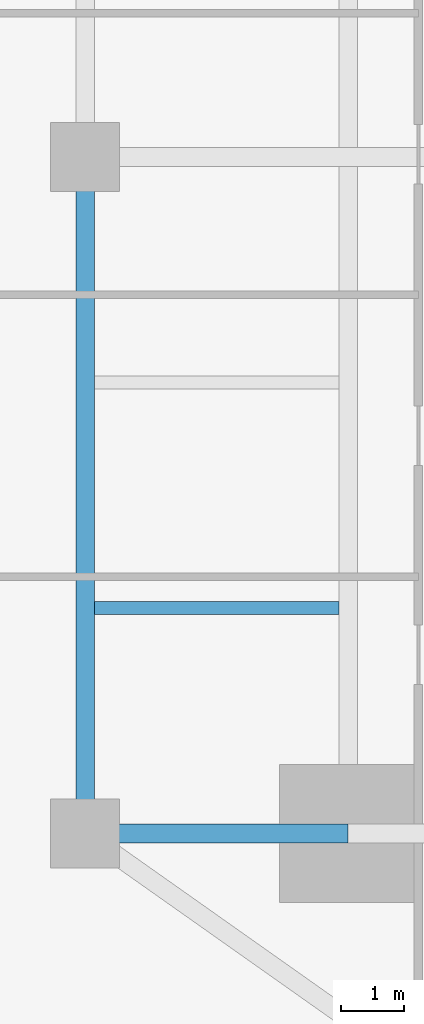
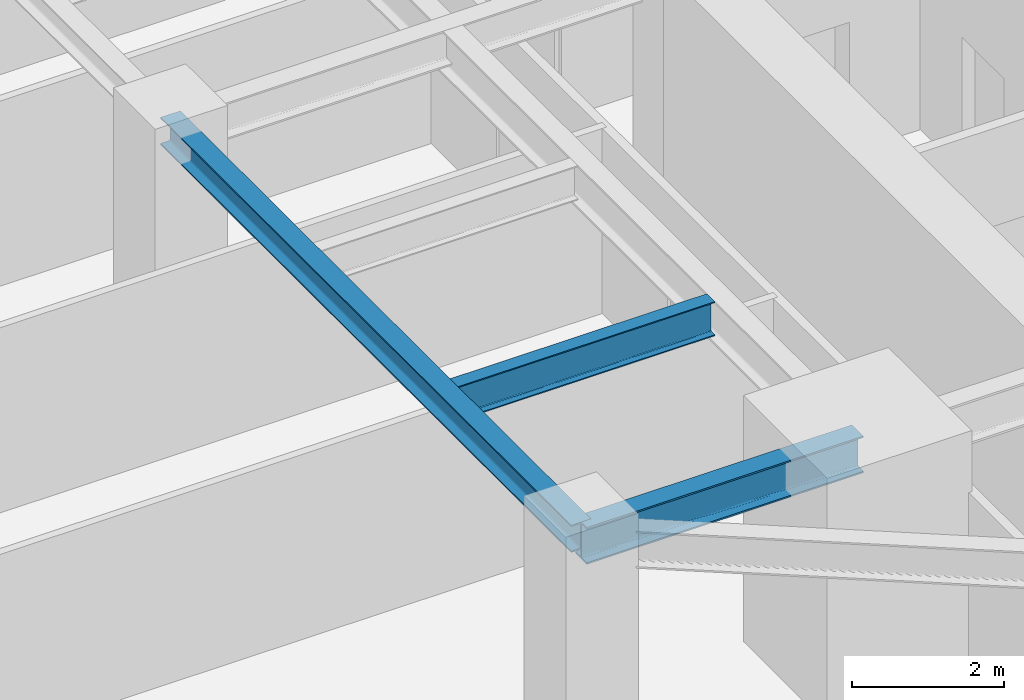
# One storey, part 7 of 29: 3 beams.
"""IFC4 building model written with IfcOpenShell, lengths in metres."""

import ifcopenshell
import ifcopenshell.guid

model = None  # the IFC model being written
_history = None  # IfcOwnerHistory: only IFC2X3 demands one
_inside = {}  # id of a spatial element -> (the spatial element, [elements in it])
_under = {}  # id of a project, library or spatial element -> (it, [spatial elements below it])
_declared = {}  # id of a project -> (the project, [libraries it declares])
_typed = {}  # id of a type object -> (the type object, [elements of that type])
_made_of = {}  # id of a material, layer set ... -> (it, [elements and type objects made of it])


def new_model(schema):
    """Start an empty IFC model of exactly this schema.

    Asked for "IFC4X3", IfcOpenShell would pick the latest addendum, in which some entities
    have other attributes; the version numbers below select the first issue.
    IFC2X3 requires an IfcOwnerHistory on every rooted entity: one is made here for all.
    """
    global model, _history
    if schema == "IFC4X3":
        model = ifcopenshell.file(schema_version=(4, 3, 0, 0))
    else:
        model = ifcopenshell.file(schema=schema)
    _inside.clear()
    _under.clear()
    _declared.clear()
    _typed.clear()
    _made_of.clear()
    _history = None
    if model.schema == "IFC2X3":
        org = make("IfcOrganization", Name="unknown")
        user = make(
            "IfcPersonAndOrganization",
            ThePerson=make("IfcPerson", FamilyName="unknown"),
            TheOrganization=org,
        )
        app = make(
            "IfcApplication",
            ApplicationDeveloper=org,
            Version="unknown",
            ApplicationFullName="unknown",
            ApplicationIdentifier="unknown",
        )
        _history = make(
            "IfcOwnerHistory",
            OwningUser=user,
            OwningApplication=app,
            ChangeAction="ADDED",
            CreationDate=0,
        )
    return model


def make(cls, **values):
    """One entity of the class cls with the attributes given. An attribute that is None is left unset."""
    return model.create_entity(
        cls, **{name: value for name, value in values.items() if value is not None}
    )


def rooted(cls, **values):
    """An entity with a GlobalId (a new one), such as an element, a storey or a relation."""
    return make(cls, GlobalId=ifcopenshell.guid.new(), OwnerHistory=_history, **values)


def si_unit(unit_type, name, prefix=None):
    """IfcSIUnit, for example si_unit("LENGTHUNIT", "METRE", prefix="MILLI")."""
    return make("IfcSIUnit", UnitType=unit_type, Prefix=prefix, Name=name)


def assignment(units):
    """IfcUnitAssignment: the units of a project."""
    return None if units is None else make("IfcUnitAssignment", Units=units)


def point(xyz):
    """IfcCartesianPoint."""
    return None if xyz is None else make("IfcCartesianPoint", Coordinates=xyz)


def direction(xyz):
    """IfcDirection."""
    return None if xyz is None else make("IfcDirection", DirectionRatios=xyz)


def frame(location, z_axis=None, x_axis=None):
    """IfcAxis2Placement3D, a coordinate frame: its origin and axes. An axis left out is left unset."""
    return make(
        "IfcAxis2Placement3D",
        Location=point(location),
        Axis=direction(z_axis),
        RefDirection=direction(x_axis),
    )


def frame_2d(location, x_axis=None):
    """IfcAxis2Placement2D, a coordinate frame in the plane: its origin and x axis."""
    return make(
        "IfcAxis2Placement2D", Location=point(location), RefDirection=direction(x_axis)
    )


def origin():
    """The frame at (0, 0, 0) with its axes left unset."""
    return frame((0.0, 0.0, 0.0))


def origin_2d():
    """The frame at (0, 0) in the plane with its x axis left unset."""
    return frame_2d((0.0, 0.0))


def place(relative_to, where):
    """IfcLocalPlacement: puts the frame where relative to a parent placement (None: the world)."""
    return make(
        "IfcLocalPlacement", PlacementRelTo=relative_to, RelativePlacement=where
    )


def context(
    kind, dimensions, precision=None, world=None, true_north=None, identifier=None
):
    """IfcGeometricRepresentationContext, for example the 3D "Model" context."""
    return make(
        "IfcGeometricRepresentationContext",
        ContextIdentifier=identifier,
        ContextType=kind,
        CoordinateSpaceDimension=dimensions,
        Precision=precision,
        WorldCoordinateSystem=world,
        TrueNorth=true_north,
    )


def subcontext(parent, identifier, kind, view, scale=None):
    """IfcGeometricRepresentationSubContext, for example "Body" below "Model"."""
    return make(
        "IfcGeometricRepresentationSubContext",
        ContextIdentifier=identifier,
        ContextType=kind,
        ParentContext=parent,
        TargetScale=scale,
        TargetView=view,
    )


def project(units=None, contexts=None):
    """IfcProject with its units and contexts."""
    return rooted(
        "IfcProject",
        Name="project",
        RepresentationContexts=contexts,
        UnitsInContext=assignment(units),
    )


def spatial(cls, under=None, at=None, **own):
    """A site, building, storey or space (cls), placed at a placement, below another one or the project."""
    s = rooted(cls, ObjectPlacement=at, **own)
    if under is not None:
        _under.setdefault(under.id(), (under, []))[1].append(s)
    return s


def profile(cls, at=None, kind="AREA", **sizes):
    """A parametric profile (cls). Its sizes go by their IFC names, for example OverallWidth=200.0."""
    return make(cls, ProfileType=kind, Position=at, **sizes)


def i_section(**sizes):
    """IfcIShapeProfileDef."""
    return profile("IfcIShapeProfileDef", **sizes)


def extrude(swept, where, along, depth):
    """IfcExtrudedAreaSolid: the profile swept, set in the frame where, extruded along a direction by depth."""
    return make(
        "IfcExtrudedAreaSolid",
        SweptArea=swept,
        Position=where,
        ExtrudedDirection=direction(along),
        Depth=depth,
    )


def shape(context_of_items, identifier, shape_type, items):
    """IfcShapeRepresentation: the items that make up one representation, for example the "Body"."""
    return make(
        "IfcShapeRepresentation",
        ContextOfItems=context_of_items,
        RepresentationIdentifier=identifier,
        RepresentationType=shape_type,
        Items=items,
    )


def source(mapping_origin, context_of_items, identifier, shape_type, items):
    """IfcRepresentationMap: a shape defined once, which mapped items show again and again."""
    return make(
        "IfcRepresentationMap",
        MappingOrigin=mapping_origin,
        MappedRepresentation=shape(context_of_items, identifier, shape_type, items),
    )


def transform(
    local_origin,
    x_axis=None,
    y_axis=None,
    z_axis=None,
    scale=None,
    scale2=None,
    scale3=None,
    uniform=True,
):
    """IfcCartesianTransformationOperator3D, or its non-uniform kind. x_axis, y_axis, z_axis: its Axis1, 2, 3."""
    if uniform:
        return make(
            "IfcCartesianTransformationOperator3D",
            Axis1=direction(x_axis),
            Axis2=direction(y_axis),
            LocalOrigin=point(local_origin),
            Scale=scale,
            Axis3=direction(z_axis),
        )
    return make(
        "IfcCartesianTransformationOperator3DnonUniform",
        Axis1=direction(x_axis),
        Axis2=direction(y_axis),
        LocalOrigin=point(local_origin),
        Scale=scale,
        Axis3=direction(z_axis),
        Scale2=scale2,
        Scale3=scale3,
    )


def mapped(mapping_source, mapping_target):
    """IfcMappedItem: shows the shape of a source again, moved by a transform."""
    return make(
        "IfcMappedItem", MappingSource=mapping_source, MappingTarget=mapping_target
    )


def material(Name=None, Category=None):
    """IfcMaterial."""
    return make("IfcMaterial", Name=Name, Category=Category)


def material_profile(
    of_material, cross_section, Name=None, Category=None, Priority=None
):
    """IfcMaterialProfile: a cross section and its material."""
    return make(
        "IfcMaterialProfile",
        Name=Name,
        Material=of_material,
        Profile=cross_section,
        Priority=Priority,
        Category=Category,
    )


def profile_set(profiles, Name=None, composite=None):
    """IfcMaterialProfileSet."""
    return make(
        "IfcMaterialProfileSet",
        Name=Name,
        MaterialProfiles=profiles,
        CompositeProfile=composite,
    )


def made_of(thing, what):
    """Note that an element or type object is made of a material, layer set ...; save() writes the relation."""
    if what is not None:
        _made_of.setdefault(what.id(), (what, []))[1].append(thing)
    return thing


def type_object(cls, material=None, **own):
    """A type object (cls), such as IfcWallType, which elements share."""
    return made_of(rooted(cls, **own), material)


def type_shapes(of_type, sources):
    """Give a type object the sources (RepresentationMaps) that its elements show as mapped items."""
    of_type.RepresentationMaps = sources


def element(
    cls,
    number,
    at=None,
    inside=None,
    cuts=None,
    type_object=None,
    material=None,
    context=None,
    identifier="Body",
    shape_type=None,
    held_by="IfcProductDefinitionShape",
    body=None,
    shapes=None,
    **own,
):
    """One element of the class cls, such as IfcWall. Its Tag is "e" and its number.

    at: its placement. inside: the storey or other place that contains it. cuts: it is an
    opening in that element (IfcRelVoidsElement). A single representation is given by context,
    identifier, shape_type and body (its items); several are given by shapes. held_by: the class
    of the entity that holds the representations. save() writes the other relations.
    """
    e = rooted(cls, Tag="e%d" % number, ObjectPlacement=at, **own)
    if body is not None:
        shapes = [shape(context, identifier, shape_type, body)]
    if shapes is not None:
        e.Representation = make(held_by, Representations=shapes)
    if inside is not None:
        _inside.setdefault(inside.id(), (inside, []))[1].append(e)
    if cuts is not None:
        rooted(
            "IfcRelVoidsElement", RelatingBuildingElement=cuts, RelatedOpeningElement=e
        )
    if type_object is not None:
        _typed.setdefault(type_object.id(), (type_object, []))[1].append(e)
    return made_of(e, material)


def aggregate(whole, parts):
    """IfcRelAggregates: a whole, such as a stair, and the parts it consists of."""
    return rooted("IfcRelAggregates", RelatingObject=whole, RelatedObjects=parts)


def save(model, path):
    """Write the relations noted so far, then the file.

    IfcRelAggregates (storeys below a building ...), IfcRelContainedInSpatialStructure (elements
    in a storey), IfcRelDefinesByType, IfcRelAssociatesMaterial and IfcRelDeclares: one each for
    every whole, place, type object, material and project.
    """
    for whole, parts in _under.values():
        aggregate(whole, parts)
    for where, things in _inside.values():
        rooted(
            "IfcRelContainedInSpatialStructure",
            RelatedElements=things,
            RelatingStructure=where,
        )
    for kind, things in _typed.values():
        rooted("IfcRelDefinesByType", RelatedObjects=things, RelatingType=kind)
    for what, things in _made_of.values():
        rooted("IfcRelAssociatesMaterial", RelatedObjects=things, RelatingMaterial=what)
    for by, libraries in _declared.values():
        rooted("IfcRelDeclares", RelatingContext=by, RelatedDefinitions=libraries)
    model.write(path)


model = new_model("IFC4")

# Units and contexts
model_context = context("Model", 3, precision=1e-05, world=origin(), true_north=direction((0.0, 1.0)))
body_context = subcontext(model_context, "Body", "Model", "MODEL_VIEW")
ifc_project = project(units=[si_unit("LENGTHUNIT", "METRE"), si_unit("AREAUNIT", "SQUARE_METRE"), si_unit("VOLUMEUNIT", "CUBIC_METRE"), si_unit("PLANEANGLEUNIT", "RADIAN"), si_unit("MASSUNIT", "GRAM", prefix="KILO")], contexts=[model_context])

# Site, building, storey
site_placement = place(None, origin())
site = spatial("IfcSite", under=ifc_project, at=site_placement, CompositionType="ELEMENT")
building_placement = place(site_placement, origin())
building = spatial("IfcBuilding", under=site, at=building_placement, Name="Krantzveldt Concourse Tower", CompositionType="ELEMENT")
storey_placement = place(building_placement, frame((0.0, 0.0, 72.39990234375)))
storey = spatial("IfcBuildingStorey", under=building, at=storey_placement, Name="L17", CompositionType="ELEMENT", Elevation=72.39990234375)

# Beams
ifc_material = material(Name="Steel S355JR", Category="steel")
ifc_material_profile_1 = material_profile(ifc_material, i_section(OverallWidth=0.300048828125, OverallDepth=0.43994140625, WebThickness=0.011474609375, FlangeThickness=0.02099609375, FilletRadius=0.027099609375, at=origin_2d()), Name="Steel S355JR", Category="steel")
ifc_profile_set_1 = profile_set([ifc_material_profile_1], Name="Steel S355JR - HEA 450")
beam_type_1 = type_object("IfcBeamType", Name="BM-SP-HEA450", PredefinedType="SPANDREL", material=ifc_profile_set_1)
shared_shape_1 = source(origin(), body_context, "Body", "SweptSolid", [
    extrude(i_section(OverallWidth=0.300048828125, OverallDepth=0.43994140625, WebThickness=0.011474609375, FlangeThickness=0.02099609375, FilletRadius=0.027099609375, at=origin_2d()), origin(), (0.0, 0.0, 1.0), 10.800048828125),
])
type_shapes(beam_type_1, [shared_shape_1])
beam_1_placement = place(storey_placement, frame((21.0, 15.89990234375, 3.4501953125), z_axis=(0.0, 1.0, 0.0), x_axis=(-1.0, 0.0, 0.0)))
element("IfcBeam", 1, at=beam_1_placement, inside=storey, type_object=beam_type_1, Name="L17 Tower Girder SP-R01", PredefinedType="SPANDREL", context=body_context, shape_type="MappedRepresentation", body=[
    mapped(shared_shape_1, transform((0.0, 0.0, 0.0), x_axis=(1.0, 0.0, 0.0), y_axis=(0.0, 1.0, 0.0), z_axis=(0.0, 0.0, 1.0), scale=1.0)),
])
ifc_material_profile_2 = material_profile(ifc_material, i_section(OverallWidth=0.300048828125, OverallDepth=0.590087890625, WebThickness=0.012939453125, FlangeThickness=0.02490234375, FilletRadius=0.027099609375, at=origin_2d()), Name="Steel S355JR", Category="steel")
ifc_profile_set_2 = profile_set([ifc_material_profile_2], Name="Steel S355JR - HEA 600")
beam_type_2 = type_object("IfcBeamType", Name="BM-B-HEA600", PredefinedType="BEAM", material=ifc_profile_set_2)
shared_shape_2 = source(origin(), body_context, "Body", "SweptSolid", [
    extrude(i_section(OverallWidth=0.300048828125, OverallDepth=0.590087890625, WebThickness=0.012939453125, FlangeThickness=0.02490234375, FilletRadius=0.027099609375, at=origin_2d()), origin(), (0.0, 0.0, 1.0), 4.199951171875),
])
type_shapes(beam_type_2, [shared_shape_2])
beam_2_placement = place(storey_placement, frame((21.0, 15.89990234375, 3.375), z_axis=(1.0, 0.0, 0.0), x_axis=(0.0, 1.0, 0.0)))
element("IfcBeam", 2, at=beam_2_placement, inside=storey, type_object=beam_type_2, Name="L17 Tower Girder BR-RL1", PredefinedType="BEAM", context=body_context, shape_type="MappedRepresentation", body=[
    mapped(shared_shape_2, transform((0.0, 0.0, 0.0), x_axis=(1.0, 0.0, 0.0), y_axis=(0.0, 1.0, 0.0), z_axis=(0.0, 0.0, 1.0), scale=1.0)),
])
ifc_material_profile_3 = material_profile(ifc_material, i_section(OverallWidth=0.2099609375, OverallDepth=0.550048828125, WebThickness=0.010986328125, FlangeThickness=0.01708984375, FilletRadius=0.02392578125, at=origin_2d()), Name="Steel S355JR", Category="steel")
ifc_profile_set_3 = profile_set([ifc_material_profile_3], Name="Steel S355JR - IPE 550")
beam_type_3 = type_object("IfcBeamType", Name="BM-J-IPE550", PredefinedType="JOIST", material=ifc_profile_set_3)
shared_shape_3 = source(origin(), body_context, "Body", "SweptSolid", [
    extrude(i_section(OverallWidth=0.2099609375, OverallDepth=0.550048828125, WebThickness=0.010986328125, FlangeThickness=0.01708984375, FilletRadius=0.02392578125, at=origin_2d()), origin(), (0.0, 0.0, 1.0), 3.900146484375),
])
type_shapes(beam_type_3, [shared_shape_3])
beam_3_placement = place(storey_placement, frame((21.14990234375, 19.5, 3.39501953125), z_axis=(1.0, 0.0, 0.0), x_axis=(0.0, 1.0, 0.0)))
element("IfcBeam", 3, at=beam_3_placement, inside=storey, type_object=beam_type_3, Name="L17 Secondary Floor Joist JW-1", PredefinedType="JOIST", context=body_context, shape_type="MappedRepresentation", body=[
    mapped(shared_shape_3, transform((0.0, 0.0, 0.0), x_axis=(1.0, 0.0, 0.0), y_axis=(0.0, 1.0, 0.0), z_axis=(0.0, 0.0, 1.0), scale=1.0)),
])

save(model, "model.ifc")
